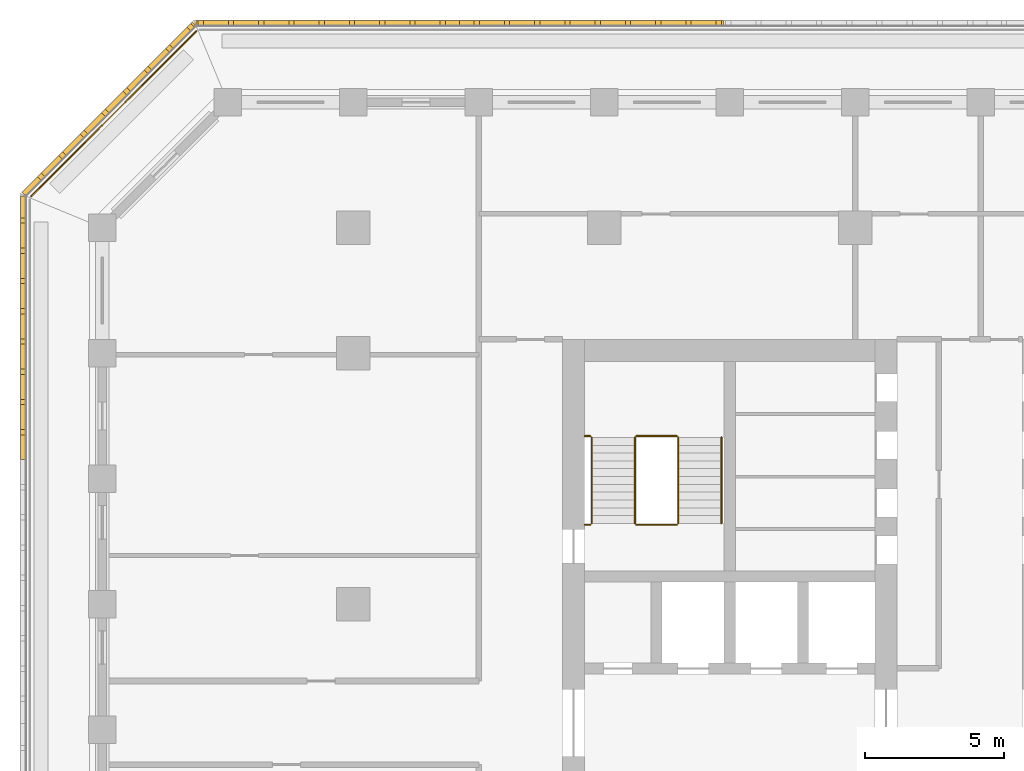
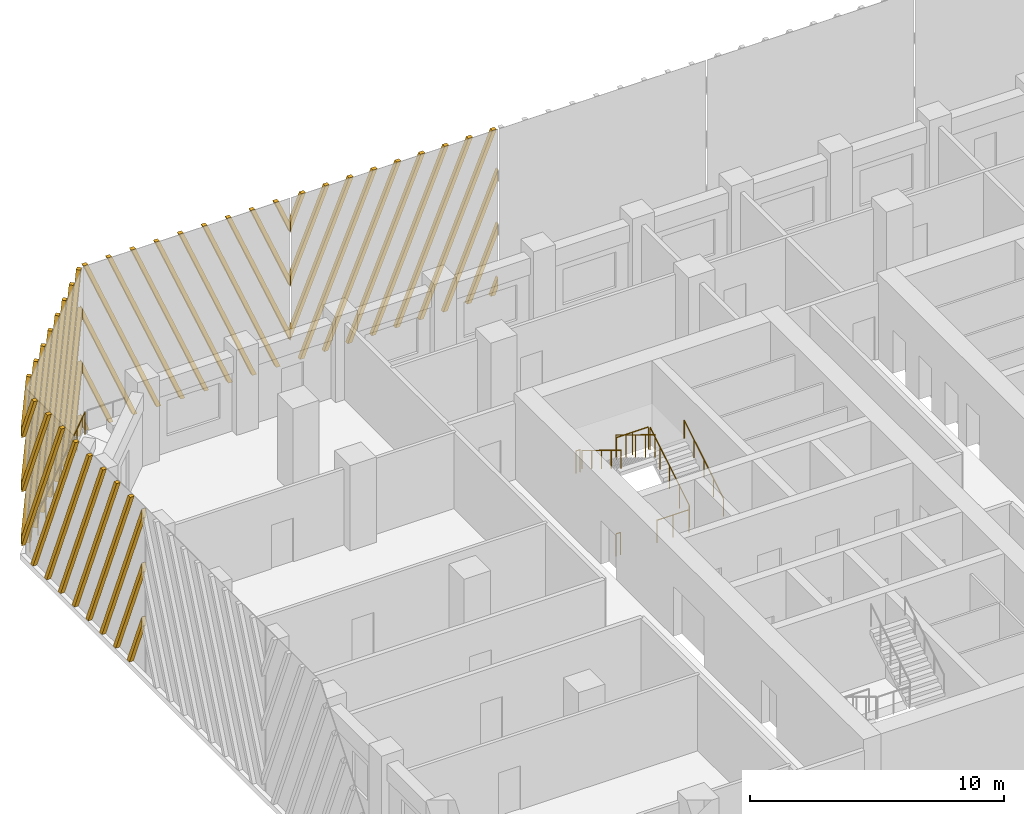
# One storey, part 14 of 17: 9 railings, 4 shading devices.
"""IFC4 building model written with IfcOpenShell, lengths in metres."""

from ifc_helpers import new_model, si_unit, direction, frame, origin, origin_2d, place, context, subcontext, project, spatial, polyline, circle, outline, extrude, source, transform, mapped, material, type_object, element, save


model = new_model("IFC4")

# Units and contexts
model_context = context("Model", 3, precision=1e-05, world=origin(), true_north=direction((0.0, 1.0)))
body_context = subcontext(model_context, "Body", "Model", "MODEL_VIEW")
ifc_project = project(units=[si_unit("LENGTHUNIT", "METRE"), si_unit("AREAUNIT", "SQUARE_METRE"), si_unit("VOLUMEUNIT", "CUBIC_METRE"), si_unit("PLANEANGLEUNIT", "RADIAN"), si_unit("MASSUNIT", "GRAM", prefix="KILO")], contexts=[model_context])

# Site, building, storey
site_placement = place(None, origin())
site = spatial("IfcSite", under=ifc_project, at=site_placement, CompositionType="ELEMENT")
building_placement = place(site_placement, origin())
building = spatial("IfcBuilding", under=site, at=building_placement, Name="Corbel Stack Research Tower", CompositionType="ELEMENT")
storey_placement = place(building_placement, frame((0.0, 0.0, 156.800048828125)))
storey = spatial("IfcBuildingStorey", under=building, at=storey_placement, Name="L35", CompositionType="ELEMENT", Elevation=156.800048828125)

# Railings
ifc_material_1 = material(Name="Steel S355", Category="steel")
railing_type_1 = type_object("IfcRailingType", Name="Stair guard 1100", PredefinedType="GUARDRAIL", material=ifc_material_1)
railing_1_placement = place(storey_placement, frame((-6.35009765625, 11.89990234375, 0.1708984375)))
element("IfcRailing", 1, at=railing_1_placement, inside=storey, type_object=railing_type_1, Name="L35 ST-W2 stair guard 1", PredefinedType="GUARDRAIL", context=body_context, shape_type="SweptSolid", body=[
    extrude(circle(Radius=0.02392578125, at=origin_2d()), frame((0.0, 0.0, 1.076171875), z_axis=(0.0, 0.853666305674, 0.52082035152), x_axis=(-1.0, 0.0, 0.0)), (0.0, 0.0, 1.0), 3.608154296875),
    extrude(circle(Radius=0.02099609375, at=origin_2d()), origin(), (0.0, 0.0, 1.0), 1.052001953125),
    extrude(circle(Radius=0.02099609375, at=origin_2d()), frame((0.0, 0.77001953125, 0.4697265625)), (0.0, 0.0, 1.0), 1.052001953125),
    extrude(circle(Radius=0.02099609375, at=origin_2d()), frame((0.0, 1.5400390625, 0.939453125)), (0.0, 0.0, 1.0), 1.052001953125),
    extrude(circle(Radius=0.02099609375, at=origin_2d()), frame((0.0, 2.31005859375, 1.409423828125)), (0.0, 0.0, 1.0), 1.052001953125),
    extrude(circle(Radius=0.02099609375, at=origin_2d()), frame((0.0, 3.080078125, 1.879150390625)), (0.0, 0.0, 1.0), 1.052001953125),
])
railing_2_placement = place(storey_placement, frame((-6.39990234375, 15.030029296875, 2.050048828125)))
element("IfcRailing", 2, at=railing_2_placement, inside=storey, type_object=railing_type_1, Name="L35 ST-W2 stair guard 2", PredefinedType="GUARDRAIL", context=body_context, shape_type="SweptSolid", body=[
    extrude(circle(Radius=0.02392578125, at=origin_2d()), frame((0.0, 0.0, 1.076171875), z_axis=(-1.0, 0.0, 0.0), x_axis=(0.0, -1.0, 0.0)), (0.0, 0.0, 1.0), 1.4501953125),
    extrude(circle(Radius=0.02099609375, at=origin_2d()), origin(), (0.0, 0.0, 1.0), 1.052001953125),
    extrude(circle(Radius=0.02099609375, at=origin_2d()), frame((-0.72509765625, 0.0, 0.0)), (0.0, 0.0, 1.0), 1.052001953125),
    extrude(circle(Radius=0.02099609375, at=origin_2d()), frame((-1.4501953125, 0.0, 0.0)), (0.0, 0.0, 1.0), 1.052001953125),
])
railing_3_placement = place(storey_placement, frame((-9.5, 15.030029296875, 2.050048828125)))
element("IfcRailing", 3, at=railing_3_placement, inside=storey, type_object=railing_type_1, Name="L35 ST-W2 stair guard 3", PredefinedType="GUARDRAIL", context=body_context, shape_type="SweptSolid", body=[
    extrude(circle(Radius=0.02392578125, at=origin_2d()), frame((0.0, 0.0, 1.076171875), z_axis=(-1.0, 0.0, 0.0), x_axis=(0.0, -1.0, 0.0)), (0.0, 0.0, 1.0), 0.199951171875),
    extrude(circle(Radius=0.02099609375, at=origin_2d()), origin(), (0.0, 0.0, 1.0), 1.052001953125),
    extrude(circle(Radius=0.02099609375, at=origin_2d()), frame((-0.199951171875, 0.0, 0.0)), (0.0, 0.0, 1.0), 1.052001953125),
])
railing_4_placement = place(storey_placement, frame((-7.89990234375, 14.97998046875, 2.220703125)))
element("IfcRailing", 4, at=railing_4_placement, inside=storey, type_object=railing_type_1, Name="L35 ST-W2 stair guard 4", PredefinedType="GUARDRAIL", context=body_context, shape_type="SweptSolid", body=[
    extrude(circle(Radius=0.02392578125, at=origin_2d()), frame((0.0, 0.0, 1.076171875), z_axis=(0.0, -0.853666305674, 0.52082035152), x_axis=(1.0, 0.0, 0.0)), (0.0, 0.0, 1.0), 3.608154296875),
    extrude(circle(Radius=0.02099609375, at=origin_2d()), origin(), (0.0, 0.0, 1.0), 1.052001953125),
    extrude(circle(Radius=0.02099609375, at=origin_2d()), frame((0.0, -0.77001953125, 0.4697265625)), (0.0, 0.0, 1.0), 1.052001953125),
    extrude(circle(Radius=0.02099609375, at=origin_2d()), frame((0.0, -1.5400390625, 0.939453125)), (0.0, 0.0, 1.0), 1.052001953125),
    extrude(circle(Radius=0.02099609375, at=origin_2d()), frame((0.0, -2.31005859375, 1.409423828125)), (0.0, 0.0, 1.0), 1.052001953125),
    extrude(circle(Radius=0.02099609375, at=origin_2d()), frame((0.0, -3.080078125, 1.879150390625)), (0.0, 0.0, 1.0), 1.052001953125),
])
railing_5_placement = place(storey_placement, frame((-6.39990234375, 11.85009765625, 0.0)))
element("IfcRailing", 5, at=railing_5_placement, inside=storey, type_object=railing_type_1, Name="L35 ST-W2 stair guard 5", PredefinedType="GUARDRAIL", context=body_context, shape_type="SweptSolid", body=[
    extrude(circle(Radius=0.02392578125, at=origin_2d()), frame((0.0, 0.0, 1.076171875), z_axis=(-1.0, 0.0, 0.0), x_axis=(0.0, -1.0, 0.0)), (0.0, 0.0, 1.0), 1.4501953125),
    extrude(circle(Radius=0.02099609375, at=origin_2d()), origin(), (0.0, 0.0, 1.0), 1.052001953125),
    extrude(circle(Radius=0.02099609375, at=origin_2d()), frame((-0.72509765625, 0.0, 0.0)), (0.0, 0.0, 1.0), 1.052001953125),
    extrude(circle(Radius=0.02099609375, at=origin_2d()), frame((-1.4501953125, 0.0, 0.0)), (0.0, 0.0, 1.0), 1.052001953125),
])
railing_6_placement = place(storey_placement, frame((-9.5, 11.85009765625, 0.0)))
element("IfcRailing", 6, at=railing_6_placement, inside=storey, type_object=railing_type_1, Name="L35 ST-W2 stair guard 6", PredefinedType="GUARDRAIL", context=body_context, shape_type="SweptSolid", body=[
    extrude(circle(Radius=0.02392578125, at=origin_2d()), frame((0.0, 0.0, 1.076171875), z_axis=(-1.0, 0.0, 0.0), x_axis=(0.0, -1.0, 0.0)), (0.0, 0.0, 1.0), 0.199951171875),
    extrude(circle(Radius=0.02099609375, at=origin_2d()), origin(), (0.0, 0.0, 1.0), 1.052001953125),
    extrude(circle(Radius=0.02099609375, at=origin_2d()), frame((-0.199951171875, 0.0, 0.0)), (0.0, 0.0, 1.0), 1.052001953125),
])
ifc_material_2 = material(Name="Steel S355", Category="steel")
railing_type_2 = type_object("IfcRailingType", Name="Stair handrail 900", PredefinedType="HANDRAIL", material=ifc_material_2)
railing_7_placement = place(storey_placement, frame((-4.800048828125, 11.89990234375, 0.1708984375)))
element("IfcRailing", 7, at=railing_7_placement, inside=storey, type_object=railing_type_2, Name="L35 ST-W2 stair handrail 1", PredefinedType="HANDRAIL", context=body_context, shape_type="SweptSolid", body=[
    extrude(circle(Radius=0.02392578125, at=origin_2d()), frame((0.0, 0.0, 0.8759765625), z_axis=(0.0, 0.853666305674, 0.52082035152), x_axis=(-1.0, 0.0, 0.0)), (0.0, 0.0, 1.0), 3.608154296875),
    extrude(circle(Radius=0.02099609375, at=origin_2d()), origin(), (0.0, 0.0, 1.0), 0.851806640625),
    extrude(circle(Radius=0.02099609375, at=origin_2d()), frame((0.0, 0.77001953125, 0.4697265625)), (0.0, 0.0, 1.0), 0.851806640625),
    extrude(circle(Radius=0.02099609375, at=origin_2d()), frame((0.0, 1.5400390625, 0.939453125)), (0.0, 0.0, 1.0), 0.851806640625),
    extrude(circle(Radius=0.02099609375, at=origin_2d()), frame((0.0, 2.31005859375, 1.409423828125)), (0.0, 0.0, 1.0), 0.851806640625),
    extrude(circle(Radius=0.02099609375, at=origin_2d()), frame((0.0, 3.080078125, 1.879150390625)), (0.0, 0.0, 1.0), 0.851806640625),
])
railing_8_placement = place(storey_placement, frame((-9.449951171875, 14.97998046875, 2.220703125)))
element("IfcRailing", 8, at=railing_8_placement, inside=storey, type_object=railing_type_2, Name="L35 ST-W2 stair handrail 2", PredefinedType="HANDRAIL", context=body_context, shape_type="SweptSolid", body=[
    extrude(circle(Radius=0.02392578125, at=origin_2d()), frame((0.0, 0.0, 0.8759765625), z_axis=(0.0, -0.853666305674, 0.52082035152), x_axis=(1.0, 0.0, 0.0)), (0.0, 0.0, 1.0), 3.608154296875),
    extrude(circle(Radius=0.02099609375, at=origin_2d()), origin(), (0.0, 0.0, 1.0), 0.851806640625),
    extrude(circle(Radius=0.02099609375, at=origin_2d()), frame((0.0, -0.77001953125, 0.4697265625)), (0.0, 0.0, 1.0), 0.851806640625),
    extrude(circle(Radius=0.02099609375, at=origin_2d()), frame((0.0, -1.5400390625, 0.939453125)), (0.0, 0.0, 1.0), 0.851806640625),
    extrude(circle(Radius=0.02099609375, at=origin_2d()), frame((0.0, -2.31005859375, 1.409423828125)), (0.0, 0.0, 1.0), 0.851806640625),
    extrude(circle(Radius=0.02099609375, at=origin_2d()), frame((0.0, -3.080078125, 1.879150390625)), (0.0, 0.0, 1.0), 0.851806640625),
])
ifc_material_3 = material(Name="Powder-coated steel guard", Category="steel")
railing_type_3 = type_object("IfcRailingType", Name="Steel and glass guard 1100", PredefinedType="GUARDRAIL", material=ifc_material_3)
railing_9_placement = place(storey_placement, frame((-23.627685546875, 29.54931640625, 0.0)))
element("IfcRailing", 9, at=railing_9_placement, inside=storey, type_object=railing_type_3, Name="Loggia guard L35 NW", PredefinedType="GUARDRAIL", context=body_context, shape_type="SweptSolid", body=[
    extrude(circle(Radius=0.02392578125, at=origin_2d()), frame((0.0, 0.0, 1.076171875), z_axis=(-0.707106781187, -0.707106781187, 0.0), x_axis=(0.707106781187, -0.707106781187, 0.0)), (0.0, 0.0, 1.0), 8.37451171875),
    extrude(circle(Radius=0.02099609375, at=origin_2d()), origin(), (0.0, 0.0, 1.0), 1.052001953125),
    extrude(circle(Radius=0.02099609375, at=origin_2d()), frame((-0.845947265625, -0.845947265625, 0.0)), (0.0, 0.0, 1.0), 1.052001953125),
    extrude(circle(Radius=0.02099609375, at=origin_2d()), frame((-1.69189453125, -1.69189453125, 0.0)), (0.0, 0.0, 1.0), 1.052001953125),
    extrude(circle(Radius=0.02099609375, at=origin_2d()), frame((-2.537841796875, -2.537841796875, 0.0)), (0.0, 0.0, 1.0), 1.052001953125),
    extrude(circle(Radius=0.02099609375, at=origin_2d()), frame((-3.3837890625, -3.3837890625, 0.0)), (0.0, 0.0, 1.0), 1.052001953125),
    extrude(circle(Radius=0.02099609375, at=origin_2d()), frame((-4.229736328125, -4.229736328125, 0.0)), (0.0, 0.0, 1.0), 1.052001953125),
    extrude(circle(Radius=0.02099609375, at=origin_2d()), frame((-5.07568359375, -5.07568359375, 0.0)), (0.0, 0.0, 1.0), 1.052001953125),
    extrude(circle(Radius=0.02099609375, at=origin_2d()), frame((-5.921630859375, -5.921630859375, 0.0)), (0.0, 0.0, 1.0), 1.052001953125),
])

# Shading devices
ifc_material_4 = material(Name="Precast terracotta", Category="masonry")
shading_device_type = type_object("IfcShadingDeviceType", Name="Terracotta screen panel", PredefinedType="USERDEFINED", material=ifc_material_4)
shared_shape_1 = source(origin(), body_context, "Body", "SweptSolid", [
    extrude(outline(polyline([(0.70361328125, 7.949951171875), (0.513427734375, 7.949951171875), (0.0, 6.720458984375), (0.0, 6.265380859375), (0.70361328125, 7.949951171875)])), frame((0.0, 0.0, 0.0), z_axis=(0.0, -1.0, 0.0), x_axis=(1.0, 0.0, 0.0)), (0.0, 0.0, 1.0), 0.179931640625),
    extrude(outline(polyline([(1.7880859375, 7.949951171875), (1.59814453125, 7.949951171875), (0.0, 4.123291015625), (0.0, 3.668212890625), (1.7880859375, 7.949951171875)])), frame((0.0, 0.0, 0.0), z_axis=(0.0, -1.0, 0.0), x_axis=(1.0, 0.0, 0.0)), (0.0, 0.0, 1.0), 0.179931640625),
    extrude(outline(polyline([(2.872802734375, 7.949951171875), (2.682861328125, 7.949951171875), (0.0, 1.526123046875), (0.0, 1.071044921875), (2.872802734375, 7.949951171875)])), frame((0.0, 0.0, 0.0), z_axis=(0.0, -1.0, 0.0), x_axis=(1.0, 0.0, 0.0)), (0.0, 0.0, 1.0), 0.179931640625),
    extrude(outline(polyline([(0.63720703125, 0.0), (3.95751953125, 7.949951171875), (3.767578125, 7.949951171875), (0.447265625, 0.0), (0.63720703125, 0.0)])), frame((0.0, 0.0, 0.0), z_axis=(0.0, -1.0, 0.0), x_axis=(1.0, 0.0, 0.0)), (0.0, 0.0, 1.0), 0.179931640625),
    extrude(outline(polyline([(1.721923828125, 0.0), (5.042236328125, 7.949951171875), (4.852294921875, 7.949951171875), (1.531982421875, 0.0), (1.721923828125, 0.0)])), frame((0.0, 0.0, 0.0), z_axis=(0.0, -1.0, 0.0), x_axis=(1.0, 0.0, 0.0)), (0.0, 0.0, 1.0), 0.179931640625),
    extrude(outline(polyline([(2.806640625, 0.0), (6.126708984375, 7.949951171875), (5.936767578125, 7.949951171875), (2.61669921875, 0.0), (2.806640625, 0.0)])), frame((0.0, 0.0, 0.0), z_axis=(0.0, -1.0, 0.0), x_axis=(1.0, 0.0, 0.0)), (0.0, 0.0, 1.0), 0.179931640625),
    extrude(outline(polyline([(3.891357421875, 0.0), (7.21142578125, 7.949951171875), (7.021484375, 7.949951171875), (3.701416015625, 0.0), (3.891357421875, 0.0)])), frame((0.0, 0.0, 0.0), z_axis=(0.0, -1.0, 0.0), x_axis=(1.0, 0.0, 0.0)), (0.0, 0.0, 1.0), 0.179931640625),
    extrude(outline(polyline([(4.97607421875, 0.0), (8.296142578125, 7.949951171875), (8.106201171875, 7.949951171875), (4.785888671875, 0.0), (4.97607421875, 0.0)])), frame((0.0, 0.0, 0.0), z_axis=(0.0, -1.0, 0.0), x_axis=(1.0, 0.0, 0.0)), (0.0, 0.0, 1.0), 0.179931640625),
    extrude(outline(polyline([(6.060791015625, 0.0), (9.380859375, 7.949951171875), (9.19091796875, 7.949951171875), (5.87060546875, 0.0), (6.060791015625, 0.0)])), frame((0.0, 0.0, 0.0), z_axis=(0.0, -1.0, 0.0), x_axis=(1.0, 0.0, 0.0)), (0.0, 0.0, 1.0), 0.179931640625),
    extrude(outline(polyline([(7.145263671875, 0.0), (9.45556640625, 5.531982421875), (9.45556640625, 5.98681640625), (6.955322265625, 0.0), (7.145263671875, 0.0)])), frame((0.0, 0.0, 0.0), z_axis=(0.0, -1.0, 0.0), x_axis=(1.0, 0.0, 0.0)), (0.0, 0.0, 1.0), 0.179931640625),
    extrude(outline(polyline([(8.22998046875, 0.0), (9.45556640625, 2.934814453125), (9.45556640625, 3.3896484375), (8.0400390625, 0.0), (8.22998046875, 0.0)])), frame((0.0, 0.0, 0.0), z_axis=(0.0, -1.0, 0.0), x_axis=(1.0, 0.0, 0.0)), (0.0, 0.0, 1.0), 0.179931640625),
    extrude(outline(polyline([(9.314697265625, 0.0), (9.45556640625, 0.337646484375), (9.45556640625, 0.79248046875), (9.124755859375, 0.0), (9.314697265625, 0.0)])), frame((0.0, 0.0, 0.0), z_axis=(0.0, -1.0, 0.0), x_axis=(1.0, 0.0, 0.0)), (0.0, 0.0, 1.0), 0.179931640625),
])
shading_device_1_placement = place(storey_placement, frame((-14.18359375, 29.75, 0.0), z_axis=(0.0, 0.0, 1.0), x_axis=(-1.0, 0.0, 0.0)))
element("IfcShadingDevice", 10, at=shading_device_1_placement, inside=storey, type_object=shading_device_type, Name="Terracotta screen L35 N5", ObjectType="SCREEN", PredefinedType="USERDEFINED", context=body_context, shape_type="MappedRepresentation", body=[
    mapped(shared_shape_1, transform((0.0, 0.0, 0.0))),
])
shared_shape_2 = source(origin(), body_context, "Body", "SweptSolid", [
    extrude(outline(polyline([(0.3310546875, 0.0), (0.0, 0.79248046875), (0.0, 0.337646484375), (0.14111328125, 0.0), (0.3310546875, 0.0)])), frame((0.0, 0.0, 0.0), z_axis=(0.0, -1.0, 0.0), x_axis=(1.0, 0.0, 0.0)), (0.0, 0.0, 1.0), 0.179931640625),
    extrude(outline(polyline([(1.41552734375, 0.0), (0.0, 3.3896484375), (0.0, 2.934814453125), (1.2255859375, 0.0), (1.41552734375, 0.0)])), frame((0.0, 0.0, 0.0), z_axis=(0.0, -1.0, 0.0), x_axis=(1.0, 0.0, 0.0)), (0.0, 0.0, 1.0), 0.179931640625),
    extrude(outline(polyline([(2.500244140625, 0.0), (0.0, 5.98681640625), (0.0, 5.531982421875), (2.310302734375, 0.0), (2.500244140625, 0.0)])), frame((0.0, 0.0, 0.0), z_axis=(0.0, -1.0, 0.0), x_axis=(1.0, 0.0, 0.0)), (0.0, 0.0, 1.0), 0.179931640625),
    extrude(outline(polyline([(3.5849609375, 0.0), (0.264892578125, 7.949951171875), (0.07470703125, 7.949951171875), (3.39501953125, 0.0), (3.5849609375, 0.0)])), frame((0.0, 0.0, 0.0), z_axis=(0.0, -1.0, 0.0), x_axis=(1.0, 0.0, 0.0)), (0.0, 0.0, 1.0), 0.179931640625),
    extrude(outline(polyline([(4.669677734375, 0.0), (1.349609375, 7.949951171875), (1.159423828125, 7.949951171875), (4.4794921875, 0.0), (4.669677734375, 0.0)])), frame((0.0, 0.0, 0.0), z_axis=(0.0, -1.0, 0.0), x_axis=(1.0, 0.0, 0.0)), (0.0, 0.0, 1.0), 0.179931640625),
    extrude(outline(polyline([(5.75439453125, 0.0), (2.43408203125, 7.949951171875), (2.244140625, 7.949951171875), (5.564208984375, 0.0), (5.75439453125, 0.0)])), frame((0.0, 0.0, 0.0), z_axis=(0.0, -1.0, 0.0), x_axis=(1.0, 0.0, 0.0)), (0.0, 0.0, 1.0), 0.179931640625),
    extrude(outline(polyline([(6.839111328125, 0.0), (3.518798828125, 7.949951171875), (3.328857421875, 7.949951171875), (6.64892578125, 0.0), (6.839111328125, 0.0)])), frame((0.0, 0.0, 0.0), z_axis=(0.0, -1.0, 0.0), x_axis=(1.0, 0.0, 0.0)), (0.0, 0.0, 1.0), 0.179931640625),
    extrude(outline(polyline([(7.923583984375, 0.0), (4.603515625, 7.949951171875), (4.41357421875, 7.949951171875), (7.733642578125, 0.0), (7.923583984375, 0.0)])), frame((0.0, 0.0, 0.0), z_axis=(0.0, -1.0, 0.0), x_axis=(1.0, 0.0, 0.0)), (0.0, 0.0, 1.0), 0.179931640625),
    extrude(outline(polyline([(9.00830078125, 0.0), (5.68798828125, 7.949951171875), (5.498046875, 7.949951171875), (8.818359375, 0.0), (9.00830078125, 0.0)])), frame((0.0, 0.0, 0.0), z_axis=(0.0, -1.0, 0.0), x_axis=(1.0, 0.0, 0.0)), (0.0, 0.0, 1.0), 0.179931640625),
    extrude(outline(polyline([(6.772705078125, 7.949951171875), (6.582763671875, 7.949951171875), (9.45556640625, 1.071044921875), (9.45556640625, 1.526123046875), (6.772705078125, 7.949951171875)])), frame((0.0, 0.0, 0.0), z_axis=(0.0, -1.0, 0.0), x_axis=(1.0, 0.0, 0.0)), (0.0, 0.0, 1.0), 0.179931640625),
    extrude(outline(polyline([(7.857421875, 7.949951171875), (7.66748046875, 7.949951171875), (9.45556640625, 3.668212890625), (9.45556640625, 4.123291015625), (7.857421875, 7.949951171875)])), frame((0.0, 0.0, 0.0), z_axis=(0.0, -1.0, 0.0), x_axis=(1.0, 0.0, 0.0)), (0.0, 0.0, 1.0), 0.179931640625),
    extrude(outline(polyline([(8.942138671875, 7.949951171875), (8.752197265625, 7.949951171875), (9.45556640625, 6.265380859375), (9.45556640625, 6.720458984375), (8.942138671875, 7.949951171875)])), frame((0.0, 0.0, 0.0), z_axis=(0.0, -1.0, 0.0), x_axis=(1.0, 0.0, 0.0)), (0.0, 0.0, 1.0), 0.179931640625),
])
shading_device_2_placement = place(storey_placement, frame((-4.727783203125, 29.75, 0.0), z_axis=(0.0, 0.0, 1.0), x_axis=(-1.0, 0.0, 0.0)))
element("IfcShadingDevice", 11, at=shading_device_2_placement, inside=storey, type_object=shading_device_type, Name="Terracotta screen L35 N4", ObjectType="SCREEN", PredefinedType="USERDEFINED", context=body_context, shape_type="MappedRepresentation", body=[
    mapped(shared_shape_2, transform((0.0, 0.0, 0.0))),
])
shared_shape_3 = source(origin(), body_context, "Body", "SweptSolid", [
    extrude(outline(polyline([(0.3310546875, 0.0), (0.0, 0.79248046875), (0.0, 0.337646484375), (0.14111328125, 0.0), (0.3310546875, 0.0)])), frame((0.0, 0.0, 0.0), z_axis=(0.0, -1.0, 0.0), x_axis=(1.0, 0.0, 0.0)), (0.0, 0.0, 1.0), 0.179931640625),
    extrude(outline(polyline([(1.41552734375, 0.0), (0.0, 3.3896484375), (0.0, 2.934814453125), (1.2255859375, 0.0), (1.41552734375, 0.0)])), frame((0.0, 0.0, 0.0), z_axis=(0.0, -1.0, 0.0), x_axis=(1.0, 0.0, 0.0)), (0.0, 0.0, 1.0), 0.179931640625),
    extrude(outline(polyline([(2.500244140625, 0.0), (0.0, 5.98681640625), (0.0, 5.531982421875), (2.310302734375, 0.0), (2.500244140625, 0.0)])), frame((0.0, 0.0, 0.0), z_axis=(0.0, -1.0, 0.0), x_axis=(1.0, 0.0, 0.0)), (0.0, 0.0, 1.0), 0.179931640625),
    extrude(outline(polyline([(3.5849609375, 0.0), (0.264892578125, 7.949951171875), (0.07470703125, 7.949951171875), (3.39501953125, 0.0), (3.5849609375, 0.0)])), frame((0.0, 0.0, 0.0), z_axis=(0.0, -1.0, 0.0), x_axis=(1.0, 0.0, 0.0)), (0.0, 0.0, 1.0), 0.179931640625),
    extrude(outline(polyline([(4.669677734375, 0.0), (1.349609375, 7.949951171875), (1.159423828125, 7.949951171875), (4.4794921875, 0.0), (4.669677734375, 0.0)])), frame((0.0, 0.0, 0.0), z_axis=(0.0, -1.0, 0.0), x_axis=(1.0, 0.0, 0.0)), (0.0, 0.0, 1.0), 0.179931640625),
    extrude(outline(polyline([(5.75439453125, 0.0), (2.43408203125, 7.949951171875), (2.244140625, 7.949951171875), (5.564208984375, 0.0), (5.75439453125, 0.0)])), frame((0.0, 0.0, 0.0), z_axis=(0.0, -1.0, 0.0), x_axis=(1.0, 0.0, 0.0)), (0.0, 0.0, 1.0), 0.179931640625),
    extrude(outline(polyline([(6.839111328125, 0.0), (3.518798828125, 7.949951171875), (3.328857421875, 7.949951171875), (6.64892578125, 0.0), (6.839111328125, 0.0)])), frame((0.0, 0.0, 0.0), z_axis=(0.0, -1.0, 0.0), x_axis=(1.0, 0.0, 0.0)), (0.0, 0.0, 1.0), 0.179931640625),
    extrude(outline(polyline([(7.923583984375, 0.0), (4.603515625, 7.949951171875), (4.41357421875, 7.949951171875), (7.733642578125, 0.0), (7.923583984375, 0.0)])), frame((0.0, 0.0, 0.0), z_axis=(0.0, -1.0, 0.0), x_axis=(1.0, 0.0, 0.0)), (0.0, 0.0, 1.0), 0.179931640625),
    extrude(outline(polyline([(5.68798828125, 7.949951171875), (5.498046875, 7.949951171875), (8.64208984375, 0.421875), (8.64208984375, 0.876708984375), (5.68798828125, 7.949951171875)])), frame((0.0, 0.0, 0.0), z_axis=(0.0, -1.0, 0.0), x_axis=(1.0, 0.0, 0.0)), (0.0, 0.0, 1.0), 0.179931640625),
    extrude(outline(polyline([(6.772705078125, 7.949951171875), (6.582763671875, 7.949951171875), (8.64208984375, 3.01904296875), (8.64208984375, 3.473876953125), (6.772705078125, 7.949951171875)])), frame((0.0, 0.0, 0.0), z_axis=(0.0, -1.0, 0.0), x_axis=(1.0, 0.0, 0.0)), (0.0, 0.0, 1.0), 0.179931640625),
    extrude(outline(polyline([(7.857421875, 7.949951171875), (7.66748046875, 7.949951171875), (8.64208984375, 5.6162109375), (8.64208984375, 6.071044921875), (7.857421875, 7.949951171875)])), frame((0.0, 0.0, 0.0), z_axis=(0.0, -1.0, 0.0), x_axis=(1.0, 0.0, 0.0)), (0.0, 0.0, 1.0), 0.179931640625),
])
shading_device_3_placement = place(storey_placement, frame((-23.63916015625, 29.75, 0.0), z_axis=(0.0, 0.0, 1.0), x_axis=(-0.707106781187, -0.707106781187, 0.0)))
element("IfcShadingDevice", 12, at=shading_device_3_placement, inside=storey, type_object=shading_device_type, Name="Terracotta screen L35 NW1", ObjectType="SCREEN", PredefinedType="USERDEFINED", context=body_context, shape_type="MappedRepresentation", body=[
    mapped(shared_shape_3, transform((0.0, 0.0, 0.0))),
])
shared_shape_4 = source(origin(), body_context, "Body", "SweptSolid", [
    extrude(outline(polyline([(0.974609375, 7.949951171875), (0.78466796875, 7.949951171875), (0.0, 6.071044921875), (0.0, 5.6162109375), (0.974609375, 7.949951171875)])), frame((0.0, 0.0, 0.0), z_axis=(0.0, -1.0, 0.0), x_axis=(1.0, 0.0, 0.0)), (0.0, 0.0, 1.0), 0.179931640625),
    extrude(outline(polyline([(2.059326171875, 7.949951171875), (1.869384765625, 7.949951171875), (0.0, 3.473876953125), (0.0, 3.01904296875), (2.059326171875, 7.949951171875)])), frame((0.0, 0.0, 0.0), z_axis=(0.0, -1.0, 0.0), x_axis=(1.0, 0.0, 0.0)), (0.0, 0.0, 1.0), 0.179931640625),
    extrude(outline(polyline([(3.14404296875, 7.949951171875), (2.9541015625, 7.949951171875), (0.0, 0.876708984375), (0.0, 0.421875), (3.14404296875, 7.949951171875)])), frame((0.0, 0.0, 0.0), z_axis=(0.0, -1.0, 0.0), x_axis=(1.0, 0.0, 0.0)), (0.0, 0.0, 1.0), 0.179931640625),
    extrude(outline(polyline([(0.908447265625, 0.0), (4.228759765625, 7.949951171875), (4.038818359375, 7.949951171875), (0.718505859375, 0.0), (0.908447265625, 0.0)])), frame((0.0, 0.0, 0.0), z_axis=(0.0, -1.0, 0.0), x_axis=(1.0, 0.0, 0.0)), (0.0, 0.0, 1.0), 0.179931640625),
    extrude(outline(polyline([(1.9931640625, 0.0), (5.313232421875, 7.949951171875), (5.123291015625, 7.949951171875), (1.80322265625, 0.0), (1.9931640625, 0.0)])), frame((0.0, 0.0, 0.0), z_axis=(0.0, -1.0, 0.0), x_axis=(1.0, 0.0, 0.0)), (0.0, 0.0, 1.0), 0.179931640625),
    extrude(outline(polyline([(3.077880859375, 0.0), (6.39794921875, 7.949951171875), (6.2080078125, 7.949951171875), (2.8876953125, 0.0), (3.077880859375, 0.0)])), frame((0.0, 0.0, 0.0), z_axis=(0.0, -1.0, 0.0), x_axis=(1.0, 0.0, 0.0)), (0.0, 0.0, 1.0), 0.179931640625),
    extrude(outline(polyline([(4.16259765625, 0.0), (7.482666015625, 7.949951171875), (7.292724609375, 7.949951171875), (3.972412109375, 0.0), (4.16259765625, 0.0)])), frame((0.0, 0.0, 0.0), z_axis=(0.0, -1.0, 0.0), x_axis=(1.0, 0.0, 0.0)), (0.0, 0.0, 1.0), 0.179931640625),
    extrude(outline(polyline([(5.247314453125, 0.0), (8.5673828125, 7.949951171875), (8.377197265625, 7.949951171875), (5.05712890625, 0.0), (5.247314453125, 0.0)])), frame((0.0, 0.0, 0.0), z_axis=(0.0, -1.0, 0.0), x_axis=(1.0, 0.0, 0.0)), (0.0, 0.0, 1.0), 0.179931640625),
    extrude(outline(polyline([(6.331787109375, 0.0), (9.45556640625, 7.479736328125), (9.45556640625, 7.934814453125), (6.141845703125, 0.0), (6.331787109375, 0.0)])), frame((0.0, 0.0, 0.0), z_axis=(0.0, -1.0, 0.0), x_axis=(1.0, 0.0, 0.0)), (0.0, 0.0, 1.0), 0.179931640625),
    extrude(outline(polyline([(7.41650390625, 0.0), (9.45556640625, 4.882568359375), (9.45556640625, 5.337646484375), (7.2265625, 0.0), (7.41650390625, 0.0)])), frame((0.0, 0.0, 0.0), z_axis=(0.0, -1.0, 0.0), x_axis=(1.0, 0.0, 0.0)), (0.0, 0.0, 1.0), 0.179931640625),
    extrude(outline(polyline([(8.501220703125, 0.0), (9.45556640625, 2.285400390625), (9.45556640625, 2.740478515625), (8.311279296875, 0.0), (8.501220703125, 0.0)])), frame((0.0, 0.0, 0.0), z_axis=(0.0, -1.0, 0.0), x_axis=(1.0, 0.0, 0.0)), (0.0, 0.0, 1.0), 0.179931640625),
])
shading_device_4_placement = place(storey_placement, frame((-29.75, 23.63916015625, 0.0), z_axis=(0.0, 0.0, 1.0), x_axis=(0.0, -1.0, 0.0)))
element("IfcShadingDevice", 13, at=shading_device_4_placement, inside=storey, type_object=shading_device_type, Name="Terracotta screen L35 W1", ObjectType="SCREEN", PredefinedType="USERDEFINED", context=body_context, shape_type="MappedRepresentation", body=[
    mapped(shared_shape_4, transform((0.0, 0.0, 0.0))),
])

save(model, "model.ifc")
